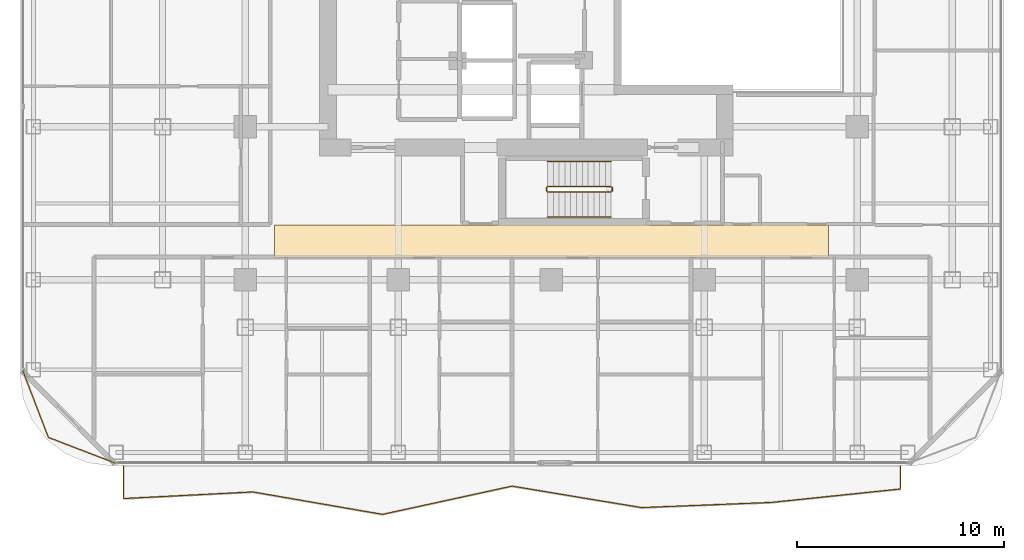
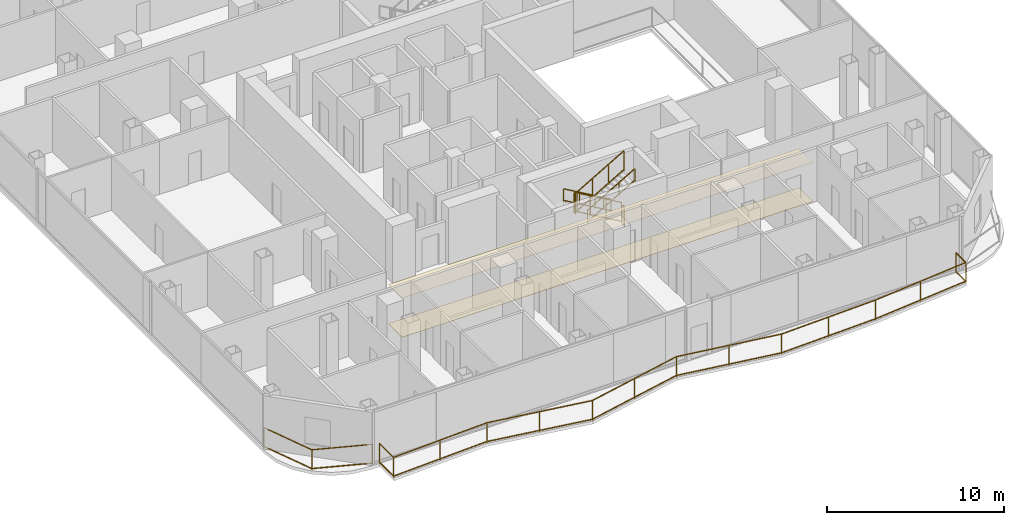
# One storey, part 23 of 25: 8 railings, 2 coverings.
"""IFC4 building model written with IfcOpenShell, lengths in metres."""

import ifcopenshell
import ifcopenshell.guid

model = None  # the IFC model being written
_history = None  # IfcOwnerHistory: only IFC2X3 demands one
_inside = {}  # id of a spatial element -> (the spatial element, [elements in it])
_under = {}  # id of a project, library or spatial element -> (it, [spatial elements below it])
_declared = {}  # id of a project -> (the project, [libraries it declares])
_typed = {}  # id of a type object -> (the type object, [elements of that type])
_made_of = {}  # id of a material, layer set ... -> (it, [elements and type objects made of it])


def new_model(schema):
    """Start an empty IFC model of exactly this schema.

    Asked for "IFC4X3", IfcOpenShell would pick the latest addendum, in which some entities
    have other attributes; the version numbers below select the first issue.
    IFC2X3 requires an IfcOwnerHistory on every rooted entity: one is made here for all.
    """
    global model, _history
    if schema == "IFC4X3":
        model = ifcopenshell.file(schema_version=(4, 3, 0, 0))
    else:
        model = ifcopenshell.file(schema=schema)
    _inside.clear()
    _under.clear()
    _declared.clear()
    _typed.clear()
    _made_of.clear()
    _history = None
    if model.schema == "IFC2X3":
        org = make("IfcOrganization", Name="unknown")
        user = make(
            "IfcPersonAndOrganization",
            ThePerson=make("IfcPerson", FamilyName="unknown"),
            TheOrganization=org,
        )
        app = make(
            "IfcApplication",
            ApplicationDeveloper=org,
            Version="unknown",
            ApplicationFullName="unknown",
            ApplicationIdentifier="unknown",
        )
        _history = make(
            "IfcOwnerHistory",
            OwningUser=user,
            OwningApplication=app,
            ChangeAction="ADDED",
            CreationDate=0,
        )
    return model


def make(cls, **values):
    """One entity of the class cls with the attributes given. An attribute that is None is left unset."""
    return model.create_entity(
        cls, **{name: value for name, value in values.items() if value is not None}
    )


def rooted(cls, **values):
    """An entity with a GlobalId (a new one), such as an element, a storey or a relation."""
    return make(cls, GlobalId=ifcopenshell.guid.new(), OwnerHistory=_history, **values)


def si_unit(unit_type, name, prefix=None):
    """IfcSIUnit, for example si_unit("LENGTHUNIT", "METRE", prefix="MILLI")."""
    return make("IfcSIUnit", UnitType=unit_type, Prefix=prefix, Name=name)


def assignment(units):
    """IfcUnitAssignment: the units of a project."""
    return None if units is None else make("IfcUnitAssignment", Units=units)


def point(xyz):
    """IfcCartesianPoint."""
    return None if xyz is None else make("IfcCartesianPoint", Coordinates=xyz)


def direction(xyz):
    """IfcDirection."""
    return None if xyz is None else make("IfcDirection", DirectionRatios=xyz)


def frame(location, z_axis=None, x_axis=None):
    """IfcAxis2Placement3D, a coordinate frame: its origin and axes. An axis left out is left unset."""
    return make(
        "IfcAxis2Placement3D",
        Location=point(location),
        Axis=direction(z_axis),
        RefDirection=direction(x_axis),
    )


def frame_2d(location, x_axis=None):
    """IfcAxis2Placement2D, a coordinate frame in the plane: its origin and x axis."""
    return make(
        "IfcAxis2Placement2D", Location=point(location), RefDirection=direction(x_axis)
    )


def origin():
    """The frame at (0, 0, 0) with its axes left unset."""
    return frame((0.0, 0.0, 0.0))


def origin_2d():
    """The frame at (0, 0) in the plane with its x axis left unset."""
    return frame_2d((0.0, 0.0))


def place(relative_to, where):
    """IfcLocalPlacement: puts the frame where relative to a parent placement (None: the world)."""
    return make(
        "IfcLocalPlacement", PlacementRelTo=relative_to, RelativePlacement=where
    )


def context(
    kind, dimensions, precision=None, world=None, true_north=None, identifier=None
):
    """IfcGeometricRepresentationContext, for example the 3D "Model" context."""
    return make(
        "IfcGeometricRepresentationContext",
        ContextIdentifier=identifier,
        ContextType=kind,
        CoordinateSpaceDimension=dimensions,
        Precision=precision,
        WorldCoordinateSystem=world,
        TrueNorth=true_north,
    )


def subcontext(parent, identifier, kind, view, scale=None):
    """IfcGeometricRepresentationSubContext, for example "Body" below "Model"."""
    return make(
        "IfcGeometricRepresentationSubContext",
        ContextIdentifier=identifier,
        ContextType=kind,
        ParentContext=parent,
        TargetScale=scale,
        TargetView=view,
    )


def project(units=None, contexts=None):
    """IfcProject with its units and contexts."""
    return rooted(
        "IfcProject",
        Name="project",
        RepresentationContexts=contexts,
        UnitsInContext=assignment(units),
    )


def spatial(cls, under=None, at=None, **own):
    """A site, building, storey or space (cls), placed at a placement, below another one or the project."""
    s = rooted(cls, ObjectPlacement=at, **own)
    if under is not None:
        _under.setdefault(under.id(), (under, []))[1].append(s)
    return s


def polyline(points):
    """IfcPolyline through the points."""
    return make("IfcPolyline", Points=[point(p) for p in points])


def profile(cls, at=None, kind="AREA", **sizes):
    """A parametric profile (cls). Its sizes go by their IFC names, for example OverallWidth=200.0."""
    return make(cls, ProfileType=kind, Position=at, **sizes)


def rectangle(**sizes):
    """IfcRectangleProfileDef."""
    return profile("IfcRectangleProfileDef", **sizes)


def outline(outer, holes=None, kind="AREA"):
    """IfcArbitraryClosedProfileDef: a profile drawn as a closed curve; with holes, ...WithVoids."""
    if holes is None:
        return make("IfcArbitraryClosedProfileDef", ProfileType=kind, OuterCurve=outer)
    return make(
        "IfcArbitraryProfileDefWithVoids",
        ProfileType=kind,
        OuterCurve=outer,
        InnerCurves=holes,
    )


def extrude(swept, where, along, depth):
    """IfcExtrudedAreaSolid: the profile swept, set in the frame where, extruded along a direction by depth."""
    return make(
        "IfcExtrudedAreaSolid",
        SweptArea=swept,
        Position=where,
        ExtrudedDirection=direction(along),
        Depth=depth,
    )


def shape(context_of_items, identifier, shape_type, items):
    """IfcShapeRepresentation: the items that make up one representation, for example the "Body"."""
    return make(
        "IfcShapeRepresentation",
        ContextOfItems=context_of_items,
        RepresentationIdentifier=identifier,
        RepresentationType=shape_type,
        Items=items,
    )


def material(Name=None, Category=None):
    """IfcMaterial."""
    return make("IfcMaterial", Name=Name, Category=Category)


def layer(
    of_material, thickness, ventilated=None, Name=None, Category=None, Priority=None
):
    """IfcMaterialLayer: one layer of a wall or slab, of a material (None: an air gap)."""
    return make(
        "IfcMaterialLayer",
        Material=of_material,
        LayerThickness=thickness,
        IsVentilated=ventilated,
        Name=Name,
        Category=Category,
        Priority=Priority,
    )


def layer_set(layers, Name=None):
    """IfcMaterialLayerSet."""
    return make("IfcMaterialLayerSet", MaterialLayers=layers, LayerSetName=Name)


def made_of(thing, what):
    """Note that an element or type object is made of a material, layer set ...; save() writes the relation."""
    if what is not None:
        _made_of.setdefault(what.id(), (what, []))[1].append(thing)
    return thing


def type_object(cls, material=None, **own):
    """A type object (cls), such as IfcWallType, which elements share."""
    return made_of(rooted(cls, **own), material)


def element(
    cls,
    number,
    at=None,
    inside=None,
    cuts=None,
    type_object=None,
    material=None,
    context=None,
    identifier="Body",
    shape_type=None,
    held_by="IfcProductDefinitionShape",
    body=None,
    shapes=None,
    **own,
):
    """One element of the class cls, such as IfcWall. Its Tag is "e" and its number.

    at: its placement. inside: the storey or other place that contains it. cuts: it is an
    opening in that element (IfcRelVoidsElement). A single representation is given by context,
    identifier, shape_type and body (its items); several are given by shapes. held_by: the class
    of the entity that holds the representations. save() writes the other relations.
    """
    e = rooted(cls, Tag="e%d" % number, ObjectPlacement=at, **own)
    if body is not None:
        shapes = [shape(context, identifier, shape_type, body)]
    if shapes is not None:
        e.Representation = make(held_by, Representations=shapes)
    if inside is not None:
        _inside.setdefault(inside.id(), (inside, []))[1].append(e)
    if cuts is not None:
        rooted(
            "IfcRelVoidsElement", RelatingBuildingElement=cuts, RelatedOpeningElement=e
        )
    if type_object is not None:
        _typed.setdefault(type_object.id(), (type_object, []))[1].append(e)
    return made_of(e, material)


def aggregate(whole, parts):
    """IfcRelAggregates: a whole, such as a stair, and the parts it consists of."""
    return rooted("IfcRelAggregates", RelatingObject=whole, RelatedObjects=parts)


def save(model, path):
    """Write the relations noted so far, then the file.

    IfcRelAggregates (storeys below a building ...), IfcRelContainedInSpatialStructure (elements
    in a storey), IfcRelDefinesByType, IfcRelAssociatesMaterial and IfcRelDeclares: one each for
    every whole, place, type object, material and project.
    """
    for whole, parts in _under.values():
        aggregate(whole, parts)
    for where, things in _inside.values():
        rooted(
            "IfcRelContainedInSpatialStructure",
            RelatedElements=things,
            RelatingStructure=where,
        )
    for kind, things in _typed.values():
        rooted("IfcRelDefinesByType", RelatedObjects=things, RelatingType=kind)
    for what, things in _made_of.values():
        rooted("IfcRelAssociatesMaterial", RelatedObjects=things, RelatingMaterial=what)
    for by, libraries in _declared.values():
        rooted("IfcRelDeclares", RelatingContext=by, RelatedDefinitions=libraries)
    model.write(path)


model = new_model("IFC4")

# Units and contexts
model_context = context("Model", 3, precision=1e-05, world=origin(), true_north=direction((0.0, 1.0)))
body_context = subcontext(model_context, "Body", "Model", "MODEL_VIEW")
ifc_project = project(units=[si_unit("LENGTHUNIT", "METRE"), si_unit("AREAUNIT", "SQUARE_METRE"), si_unit("VOLUMEUNIT", "CUBIC_METRE"), si_unit("PLANEANGLEUNIT", "RADIAN"), si_unit("MASSUNIT", "GRAM", prefix="KILO")], contexts=[model_context])

# Site, building, storey
site_placement = place(None, origin())
site = spatial("IfcSite", under=ifc_project, at=site_placement, CompositionType="ELEMENT")
building_placement = place(site_placement, origin())
building = spatial("IfcBuilding", under=site, at=building_placement, Name="Khorvyn Point Tower", CompositionType="ELEMENT")
storey_placement = place(building_placement, frame((0.0, 0.0, 171.89990234375)))
storey = spatial("IfcBuildingStorey", under=building, at=storey_placement, Name="L42", CompositionType="ELEMENT", Elevation=171.89990234375)

# Railings
ifc_material_1 = material(Name="Anodised aluminium 6063-T6 and laminated safety glass", Category="aluminium")
railing_type_1 = type_object("IfcRailingType", Name="Laminated Glass and Aluminium Balcony Guardrail 1400", PredefinedType="BALUSTRADE", material=ifc_material_1)
railing_1_placement = place(storey_placement, frame((-25.57421875, -19.176025390625, 0.0)))
element("IfcRailing", 1, at=railing_1_placement, inside=storey, type_object=railing_type_1, Name="L42 Rounded Corner Edge Guardrail SW", PredefinedType="BALUSTRADE", context=body_context, shape_type="SweptSolid", body=[
    extrude(rectangle(XDim=0.048095703125, YDim=0.048095703125, at=origin_2d()), frame((0.0, 0.0, 1.3759765625), z_axis=(0.358382264808, -0.933574931257, 0.0), x_axis=(0.933574931257, 0.358382264808, 0.0)), (0.0, 0.0, 1.0), 3.481689453125),
    extrude(rectangle(XDim=0.048095703125, YDim=0.048095703125, at=origin_2d()), frame((0.0, 0.0, 0.080078125), z_axis=(0.358382264808, -0.933574931257, 0.0), x_axis=(0.933574931257, 0.358382264808, 0.0)), (0.0, 0.0, 1.0), 3.481689453125),
    extrude(rectangle(XDim=0.048095703125, YDim=0.048095703125, at=origin_2d()), frame((1.247802734375, -3.25048828125, 1.3759765625), z_axis=(0.933598390295, -0.358321148746, 0.0), x_axis=(0.358321148746, 0.933598390295, 0.0)), (0.0, 0.0, 1.0), 3.481689453125),
    extrude(rectangle(XDim=0.048095703125, YDim=0.048095703125, at=origin_2d()), frame((1.247802734375, -3.25048828125, 0.080078125), z_axis=(0.933598390295, -0.358321148746, 0.0), x_axis=(0.358321148746, 0.933598390295, 0.0)), (0.0, 0.0, 1.0), 3.481689453125),
    extrude(rectangle(XDim=0.0419921875, YDim=0.0419921875, at=origin_2d()), origin(), (0.0, 0.0, 1.0), 1.351806640625),
    extrude(rectangle(XDim=0.0419921875, YDim=0.0419921875, at=origin_2d()), frame((1.247802734375, -3.25048828125, 0.0)), (0.0, 0.0, 1.0), 1.351806640625),
    extrude(rectangle(XDim=0.0419921875, YDim=0.0419921875, at=origin_2d()), frame((4.498291015625, -4.498046875, 0.0)), (0.0, 0.0, 1.0), 1.351806640625),
])
railing_2_placement = place(storey_placement, frame((-20.699951171875, -23.800048828125, 0.0)))
element("IfcRailing", 2, at=railing_2_placement, inside=storey, type_object=railing_type_1, Name="L42 South Balcony Guardrail", PredefinedType="BALUSTRADE", context=body_context, shape_type="SweptSolid", body=[
    extrude(rectangle(XDim=0.048095703125, YDim=0.048095703125, at=origin_2d()), frame((0.0, 0.0, 1.3759765625), z_axis=(0.0, -1.0, 0.0), x_axis=(1.0, 0.0, 0.0)), (0.0, 0.0, 1.0), 1.58154296875),
    extrude(rectangle(XDim=0.048095703125, YDim=0.048095703125, at=origin_2d()), frame((0.0, 0.0, 0.080078125), z_axis=(0.0, -1.0, 0.0), x_axis=(1.0, 0.0, 0.0)), (0.0, 0.0, 1.0), 1.58154296875),
    extrude(rectangle(XDim=0.048095703125, YDim=0.048095703125, at=origin_2d()), frame((0.0, -1.58154296875, 1.3759765625), z_axis=(0.998706121207, 0.050853549183, 0.0), x_axis=(-0.050853549183, 0.998706121207, 0.0)), (0.0, 0.0, 1.0), 6.274658203125),
    extrude(rectangle(XDim=0.048095703125, YDim=0.048095703125, at=origin_2d()), frame((0.0, -1.58154296875, 0.080078125), z_axis=(0.998706121207, 0.050853549183, 0.0), x_axis=(-0.050853549183, 0.998706121207, 0.0)), (0.0, 0.0, 1.0), 6.274658203125),
    extrude(rectangle(XDim=0.048095703125, YDim=0.048095703125, at=origin_2d()), frame((6.2666015625, -1.262451171875, 1.3759765625), z_axis=(0.985353979217, -0.170521364177, 0.0), x_axis=(0.170521364177, 0.985353979217, 0.0)), (0.0, 0.0, 1.0), 6.35986328125),
    extrude(rectangle(XDim=0.048095703125, YDim=0.048095703125, at=origin_2d()), frame((6.2666015625, -1.262451171875, 0.080078125), z_axis=(0.985353979217, -0.170521364177, 0.0), x_axis=(0.170521364177, 0.985353979217, 0.0)), (0.0, 0.0, 1.0), 6.35986328125),
    extrude(rectangle(XDim=0.048095703125, YDim=0.048095703125, at=origin_2d()), frame((12.533203125, -2.346923828125, 1.3759765625), z_axis=(0.977051492994, 0.213003239503, 0.0), x_axis=(-0.213003239503, 0.977051492994, 0.0)), (0.0, 0.0, 1.0), 6.4140625),
    extrude(rectangle(XDim=0.048095703125, YDim=0.048095703125, at=origin_2d()), frame((12.533203125, -2.346923828125, 0.080078125), z_axis=(0.977051492994, 0.213003239503, 0.0), x_axis=(-0.213003239503, 0.977051492994, 0.0)), (0.0, 0.0, 1.0), 6.4140625),
    extrude(rectangle(XDim=0.048095703125, YDim=0.048095703125, at=origin_2d()), frame((18.800048828125, -0.980712890625, 1.3759765625), z_axis=(0.986524494659, -0.163613634633, 0.0), x_axis=(0.163613634633, 0.986524494659, 0.0)), (0.0, 0.0, 1.0), 6.352294921875),
    extrude(rectangle(XDim=0.048095703125, YDim=0.048095703125, at=origin_2d()), frame((18.800048828125, -0.980712890625, 0.080078125), z_axis=(0.986524494659, -0.163613634633, 0.0), x_axis=(0.163613634633, 0.986524494659, 0.0)), (0.0, 0.0, 1.0), 6.352294921875),
    extrude(rectangle(XDim=0.048095703125, YDim=0.048095703125, at=origin_2d()), frame((25.066650390625, -2.02001953125, 1.3759765625), z_axis=(0.999209826541, 0.039745723582, 0.0), x_axis=(-0.039745723582, 0.999209826541, 0.0)), (0.0, 0.0, 1.0), 6.271484375),
    extrude(rectangle(XDim=0.048095703125, YDim=0.048095703125, at=origin_2d()), frame((25.066650390625, -2.02001953125, 0.080078125), z_axis=(0.999209826541, 0.039745723582, 0.0), x_axis=(-0.039745723582, 0.999209826541, 0.0)), (0.0, 0.0, 1.0), 6.271484375),
    extrude(rectangle(XDim=0.048095703125, YDim=0.048095703125, at=origin_2d()), frame((31.333251953125, -1.770751953125, 1.3759765625), z_axis=(0.99462938435, 0.103500665638, 0.0), x_axis=(-0.103500665638, 0.99462938435, 0.0)), (0.0, 0.0, 1.0), 6.300537109375),
    extrude(rectangle(XDim=0.048095703125, YDim=0.048095703125, at=origin_2d()), frame((31.333251953125, -1.770751953125, 0.080078125), z_axis=(0.99462938435, 0.103500665638, 0.0), x_axis=(-0.103500665638, 0.99462938435, 0.0)), (0.0, 0.0, 1.0), 6.300537109375),
    extrude(rectangle(XDim=0.048095703125, YDim=0.048095703125, at=origin_2d()), frame((37.599853515625, -1.11865234375, 1.3759765625), z_axis=(0.0, 1.0, 0.0), x_axis=(-1.0, 0.0, 0.0)), (0.0, 0.0, 1.0), 1.11865234375),
    extrude(rectangle(XDim=0.048095703125, YDim=0.048095703125, at=origin_2d()), frame((37.599853515625, -1.11865234375, 0.080078125), z_axis=(0.0, 1.0, 0.0), x_axis=(-1.0, 0.0, 0.0)), (0.0, 0.0, 1.0), 1.11865234375),
    extrude(rectangle(XDim=0.0419921875, YDim=0.0419921875, at=origin_2d()), origin(), (0.0, 0.0, 1.0), 1.351806640625),
    extrude(rectangle(XDim=0.0419921875, YDim=0.0419921875, at=origin_2d()), frame((0.0, -1.58154296875, 0.0)), (0.0, 0.0, 1.0), 1.351806640625),
    extrude(rectangle(XDim=0.0419921875, YDim=0.0419921875, at=origin_2d()), frame((3.13330078125, -1.421875, 0.0)), (0.0, 0.0, 1.0), 1.351806640625),
    extrude(rectangle(XDim=0.0419921875, YDim=0.0419921875, at=origin_2d()), frame((6.2666015625, -1.262451171875, 0.0)), (0.0, 0.0, 1.0), 1.351806640625),
    extrude(rectangle(XDim=0.0419921875, YDim=0.0419921875, at=origin_2d()), frame((9.39990234375, -1.8046875, 0.0)), (0.0, 0.0, 1.0), 1.351806640625),
    extrude(rectangle(XDim=0.0419921875, YDim=0.0419921875, at=origin_2d()), frame((12.533203125, -2.346923828125, 0.0)), (0.0, 0.0, 1.0), 1.351806640625),
    extrude(rectangle(XDim=0.0419921875, YDim=0.0419921875, at=origin_2d()), frame((15.66650390625, -1.663818359375, 0.0)), (0.0, 0.0, 1.0), 1.351806640625),
    extrude(rectangle(XDim=0.0419921875, YDim=0.0419921875, at=origin_2d()), frame((18.800048828125, -0.980712890625, 0.0)), (0.0, 0.0, 1.0), 1.351806640625),
    extrude(rectangle(XDim=0.0419921875, YDim=0.0419921875, at=origin_2d()), frame((21.933349609375, -1.50048828125, 0.0)), (0.0, 0.0, 1.0), 1.351806640625),
    extrude(rectangle(XDim=0.0419921875, YDim=0.0419921875, at=origin_2d()), frame((25.066650390625, -2.02001953125, 0.0)), (0.0, 0.0, 1.0), 1.351806640625),
    extrude(rectangle(XDim=0.0419921875, YDim=0.0419921875, at=origin_2d()), frame((28.199951171875, -1.8955078125, 0.0)), (0.0, 0.0, 1.0), 1.351806640625),
    extrude(rectangle(XDim=0.0419921875, YDim=0.0419921875, at=origin_2d()), frame((31.333251953125, -1.770751953125, 0.0)), (0.0, 0.0, 1.0), 1.351806640625),
    extrude(rectangle(XDim=0.0419921875, YDim=0.0419921875, at=origin_2d()), frame((34.466552734375, -1.44482421875, 0.0)), (0.0, 0.0, 1.0), 1.351806640625),
    extrude(rectangle(XDim=0.0419921875, YDim=0.0419921875, at=origin_2d()), frame((37.599853515625, -1.11865234375, 0.0)), (0.0, 0.0, 1.0), 1.351806640625),
    extrude(rectangle(XDim=0.0419921875, YDim=0.0419921875, at=origin_2d()), frame((37.599853515625, 0.0, 0.0)), (0.0, 0.0, 1.0), 1.351806640625),
])

# Coverings
ifc_material_2 = material(Name="Mineral-fibre acoustic ceiling board", Category="gypsum")
ifc_layer_1 = layer(ifc_material_2, 0.02001953125)
ifc_layer_set_1 = layer_set([ifc_layer_1], Name="Perforated Mineral-Fibre Acoustic Suspended Ceiling 20")
covering_type_1 = type_object("IfcCoveringType", Name="Perforated Mineral-Fibre Acoustic Suspended Ceiling 20", PredefinedType="CEILING", material=ifc_layer_set_1)
covering_1_placement = place(storey_placement, frame((0.0, 0.0, 2.7001953125)))
element("IfcCovering", 3, at=covering_1_placement, inside=storey, type_object=covering_type_1, Name="L42 South Corridor Acoustic Ceiling", PredefinedType="CEILING", context=body_context, shape_type="SweptSolid", body=[
    extrude(outline(polyline([(-13.39990234375, -13.7099609375), (13.39990234375, -13.7099609375), (13.39990234375, -12.139892578125), (-13.39990234375, -12.139892578125), (-13.39990234375, -13.7099609375)])), origin(), (0.0, 0.0, 1.0), 0.02001953125),
])
ifc_material_3 = material(Name="Vitrified porcelain terrazzo tile", Category="ceramic")
ifc_layer_2 = layer(ifc_material_3, 0.01806640625)
ifc_layer_set_2 = layer_set([ifc_layer_2], Name="Porcelain Terrazzo Corridor Floor Finish Tile 18")
covering_type_2 = type_object("IfcCoveringType", Name="Porcelain Terrazzo Corridor Floor Finish Tile 18", PredefinedType="FLOORING", material=ifc_layer_set_2)
covering_2_placement = place(storey_placement, origin())
element("IfcCovering", 4, at=covering_2_placement, inside=storey, type_object=covering_type_2, Name="L42 South Corridor Terrazzo Flooring", PredefinedType="FLOORING", context=body_context, shape_type="SweptSolid", body=[
    extrude(outline(polyline([(-13.39990234375, -13.7099609375), (13.39990234375, -13.7099609375), (13.39990234375, -12.139892578125), (-13.39990234375, -12.139892578125), (-13.39990234375, -13.7099609375)])), origin(), (0.0, 0.0, 1.0), 0.01806640625),
])

# Railings
ifc_material_4 = material(Name="Stainless steel 1.4301", Category="steel")
railing_type_2 = type_object("IfcRailingType", Name="Stainless Steel 304 Stair Pitch Handrail 900", PredefinedType="HANDRAIL", material=ifc_material_4)
railing_3_placement = place(storey_placement, frame((2.89990234375, -9.070068359375, 0.16259765625)))
element("IfcRailing", 5, at=railing_3_placement, inside=storey, type_object=railing_type_2, Name="L42 ST-01 stair handrail 1", PredefinedType="HANDRAIL", context=body_context, shape_type="SweptSolid", body=[
    extrude(rectangle(XDim=0.048095703125, YDim=0.048095703125, at=origin_2d()), frame((0.0, 0.0, 0.8759765625), z_axis=(-0.864873446163, 0.0, 0.501989962173), x_axis=(0.0, -1.0, 0.0)), (0.0, 0.0, 1.0), 3.56103515625),
    extrude(rectangle(XDim=0.048095703125, YDim=0.048095703125, at=origin_2d()), frame((0.0, 0.0, 0.080078125), z_axis=(-0.864873446163, 0.0, 0.501989962173), x_axis=(0.0, -1.0, 0.0)), (0.0, 0.0, 1.0), 3.56103515625),
    extrude(rectangle(XDim=0.0419921875, YDim=0.0419921875, at=origin_2d()), origin(), (0.0, 0.0, 1.0), 0.851806640625),
    extrude(rectangle(XDim=0.0419921875, YDim=0.0419921875, at=origin_2d()), frame((-1.026611328125, 0.0, 0.595947265625)), (0.0, 0.0, 1.0), 0.851806640625),
    extrude(rectangle(XDim=0.0419921875, YDim=0.0419921875, at=origin_2d()), frame((-2.05322265625, 0.0, 1.191650390625)), (0.0, 0.0, 1.0), 0.851806640625),
    extrude(rectangle(XDim=0.0419921875, YDim=0.0419921875, at=origin_2d()), frame((-3.079833984375, 0.0, 1.78759765625)), (0.0, 0.0, 1.0), 0.851806640625),
])
railing_4_placement = place(storey_placement, frame((-0.179931640625, -11.77001953125, 2.112548828125)))
element("IfcRailing", 6, at=railing_4_placement, inside=storey, type_object=railing_type_2, Name="L42 ST-01 stair handrail 2", PredefinedType="HANDRAIL", context=body_context, shape_type="SweptSolid", body=[
    extrude(rectangle(XDim=0.048095703125, YDim=0.048095703125, at=origin_2d()), frame((0.0, 0.0, 0.8759765625), z_axis=(0.864873446163, 0.0, 0.501989962173), x_axis=(0.0, 1.0, 0.0)), (0.0, 0.0, 1.0), 3.56103515625),
    extrude(rectangle(XDim=0.048095703125, YDim=0.048095703125, at=origin_2d()), frame((0.0, 0.0, 0.080078125), z_axis=(0.864873446163, 0.0, 0.501989962173), x_axis=(0.0, 1.0, 0.0)), (0.0, 0.0, 1.0), 3.56103515625),
    extrude(rectangle(XDim=0.0419921875, YDim=0.0419921875, at=origin_2d()), origin(), (0.0, 0.0, 1.0), 0.851806640625),
    extrude(rectangle(XDim=0.0419921875, YDim=0.0419921875, at=origin_2d()), frame((1.026611328125, 0.0, 0.595947265625)), (0.0, 0.0, 1.0), 0.851806640625),
    extrude(rectangle(XDim=0.0419921875, YDim=0.0419921875, at=origin_2d()), frame((2.05322265625, 0.0, 1.191650390625)), (0.0, 0.0, 1.0), 0.851806640625),
    extrude(rectangle(XDim=0.0419921875, YDim=0.0419921875, at=origin_2d()), frame((3.079833984375, 0.0, 1.78759765625)), (0.0, 0.0, 1.0), 0.851806640625),
])
railing_type_3 = type_object("IfcRailingType", Name="Stainless Steel 304 Stair Well Guardrail 1400", PredefinedType="GUARDRAIL", material=ifc_material_4)
railing_5_placement = place(storey_placement, frame((2.89990234375, -10.2900390625, 0.16259765625)))
element("IfcRailing", 7, at=railing_5_placement, inside=storey, type_object=railing_type_3, Name="L42 ST-01 stair guard 1", PredefinedType="GUARDRAIL", context=body_context, shape_type="SweptSolid", body=[
    extrude(rectangle(XDim=0.048095703125, YDim=0.048095703125, at=origin_2d()), frame((0.0, 0.0, 1.3759765625), z_axis=(-0.864873446163, 0.0, 0.501989962173), x_axis=(0.0, -1.0, 0.0)), (0.0, 0.0, 1.0), 3.56103515625),
    extrude(rectangle(XDim=0.048095703125, YDim=0.048095703125, at=origin_2d()), frame((0.0, 0.0, 0.080078125), z_axis=(-0.864873446163, 0.0, 0.501989962173), x_axis=(0.0, -1.0, 0.0)), (0.0, 0.0, 1.0), 3.56103515625),
    extrude(rectangle(XDim=0.0419921875, YDim=0.0419921875, at=origin_2d()), origin(), (0.0, 0.0, 1.0), 1.351806640625),
    extrude(rectangle(XDim=0.0419921875, YDim=0.0419921875, at=origin_2d()), frame((-1.026611328125, 0.0, 0.595947265625)), (0.0, 0.0, 1.0), 1.351806640625),
    extrude(rectangle(XDim=0.0419921875, YDim=0.0419921875, at=origin_2d()), frame((-2.05322265625, 0.0, 1.191650390625)), (0.0, 0.0, 1.0), 1.351806640625),
    extrude(rectangle(XDim=0.0419921875, YDim=0.0419921875, at=origin_2d()), frame((-3.079833984375, 0.0, 1.78759765625)), (0.0, 0.0, 1.0), 1.351806640625),
])
railing_6_placement = place(storey_placement, frame((-0.22998046875, -10.340087890625, 1.9501953125)))
element("IfcRailing", 8, at=railing_6_placement, inside=storey, type_object=railing_type_3, Name="L42 ST-01 stair guard 2", PredefinedType="GUARDRAIL", context=body_context, shape_type="SweptSolid", body=[
    extrude(rectangle(XDim=0.048095703125, YDim=0.048095703125, at=origin_2d()), frame((0.0, 0.0, 1.3759765625), z_axis=(0.0, -1.0, 0.0), x_axis=(1.0, 0.0, 0.0)), (0.0, 0.0, 1.0), 0.159912109375),
    extrude(rectangle(XDim=0.048095703125, YDim=0.048095703125, at=origin_2d()), frame((0.0, 0.0, 0.080078125), z_axis=(0.0, -1.0, 0.0), x_axis=(1.0, 0.0, 0.0)), (0.0, 0.0, 1.0), 0.159912109375),
    extrude(rectangle(XDim=0.0419921875, YDim=0.0419921875, at=origin_2d()), origin(), (0.0, 0.0, 1.0), 1.351806640625),
    extrude(rectangle(XDim=0.0419921875, YDim=0.0419921875, at=origin_2d()), frame((0.0, -0.159912109375, 0.0)), (0.0, 0.0, 1.0), 1.351806640625),
])
railing_7_placement = place(storey_placement, frame((-0.179931640625, -10.550048828125, 2.112548828125)))
element("IfcRailing", 9, at=railing_7_placement, inside=storey, type_object=railing_type_3, Name="L42 ST-01 stair guard 3", PredefinedType="GUARDRAIL", context=body_context, shape_type="SweptSolid", body=[
    extrude(rectangle(XDim=0.048095703125, YDim=0.048095703125, at=origin_2d()), frame((0.0, 0.0, 1.3759765625), z_axis=(0.864873446163, 0.0, 0.501989962173), x_axis=(0.0, 1.0, 0.0)), (0.0, 0.0, 1.0), 3.56103515625),
    extrude(rectangle(XDim=0.048095703125, YDim=0.048095703125, at=origin_2d()), frame((0.0, 0.0, 0.080078125), z_axis=(0.864873446163, 0.0, 0.501989962173), x_axis=(0.0, 1.0, 0.0)), (0.0, 0.0, 1.0), 3.56103515625),
    extrude(rectangle(XDim=0.0419921875, YDim=0.0419921875, at=origin_2d()), origin(), (0.0, 0.0, 1.0), 1.351806640625),
    extrude(rectangle(XDim=0.0419921875, YDim=0.0419921875, at=origin_2d()), frame((1.026611328125, 0.0, 0.595947265625)), (0.0, 0.0, 1.0), 1.351806640625),
    extrude(rectangle(XDim=0.0419921875, YDim=0.0419921875, at=origin_2d()), frame((2.05322265625, 0.0, 1.191650390625)), (0.0, 0.0, 1.0), 1.351806640625),
    extrude(rectangle(XDim=0.0419921875, YDim=0.0419921875, at=origin_2d()), frame((3.079833984375, 0.0, 1.78759765625)), (0.0, 0.0, 1.0), 1.351806640625),
])
railing_8_placement = place(storey_placement, frame((2.949951171875, -10.340087890625, 0.0)))
element("IfcRailing", 10, at=railing_8_placement, inside=storey, type_object=railing_type_3, Name="L42 ST-01 stair guard 4", PredefinedType="GUARDRAIL", context=body_context, shape_type="SweptSolid", body=[
    extrude(rectangle(XDim=0.048095703125, YDim=0.048095703125, at=origin_2d()), frame((0.0, 0.0, 1.3759765625), z_axis=(0.0, -1.0, 0.0), x_axis=(1.0, 0.0, 0.0)), (0.0, 0.0, 1.0), 0.159912109375),
    extrude(rectangle(XDim=0.048095703125, YDim=0.048095703125, at=origin_2d()), frame((0.0, 0.0, 0.080078125), z_axis=(0.0, -1.0, 0.0), x_axis=(1.0, 0.0, 0.0)), (0.0, 0.0, 1.0), 0.159912109375),
    extrude(rectangle(XDim=0.0419921875, YDim=0.0419921875, at=origin_2d()), origin(), (0.0, 0.0, 1.0), 1.351806640625),
    extrude(rectangle(XDim=0.0419921875, YDim=0.0419921875, at=origin_2d()), frame((0.0, -0.159912109375, 0.0)), (0.0, 0.0, 1.0), 1.351806640625),
])

save(model, "model.ifc")
